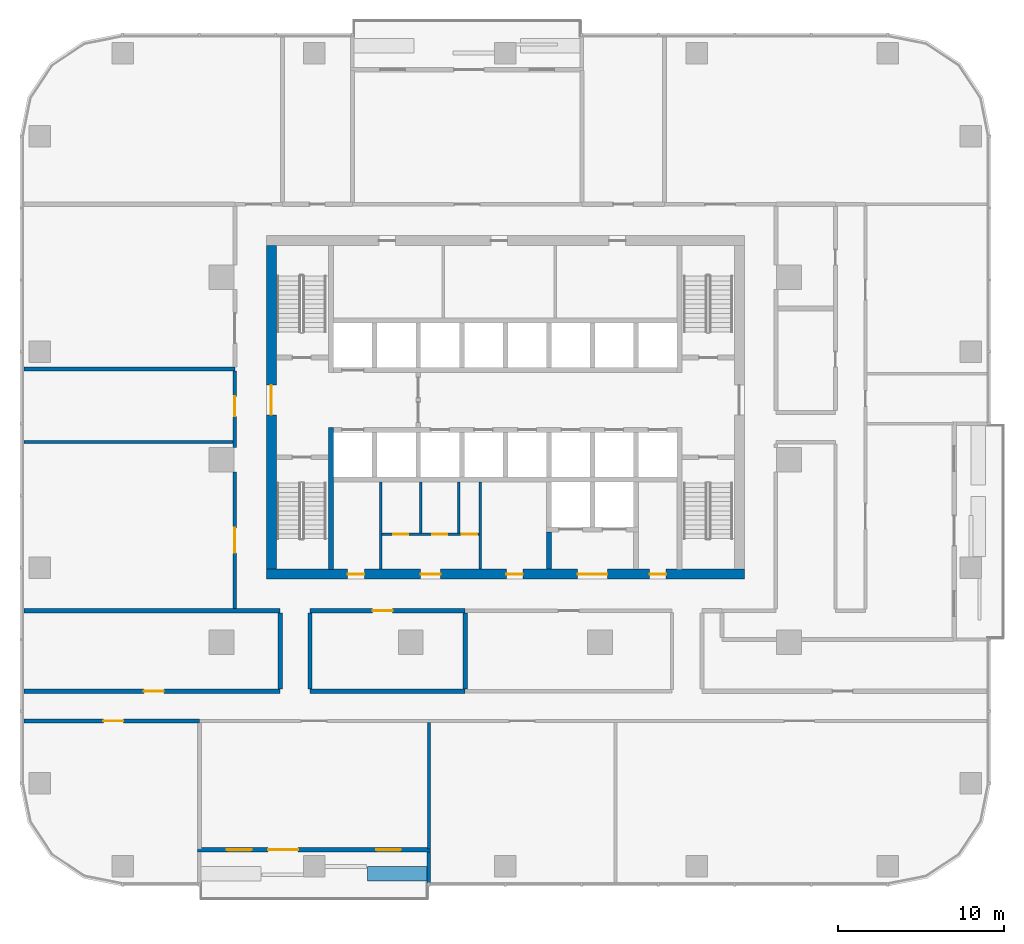
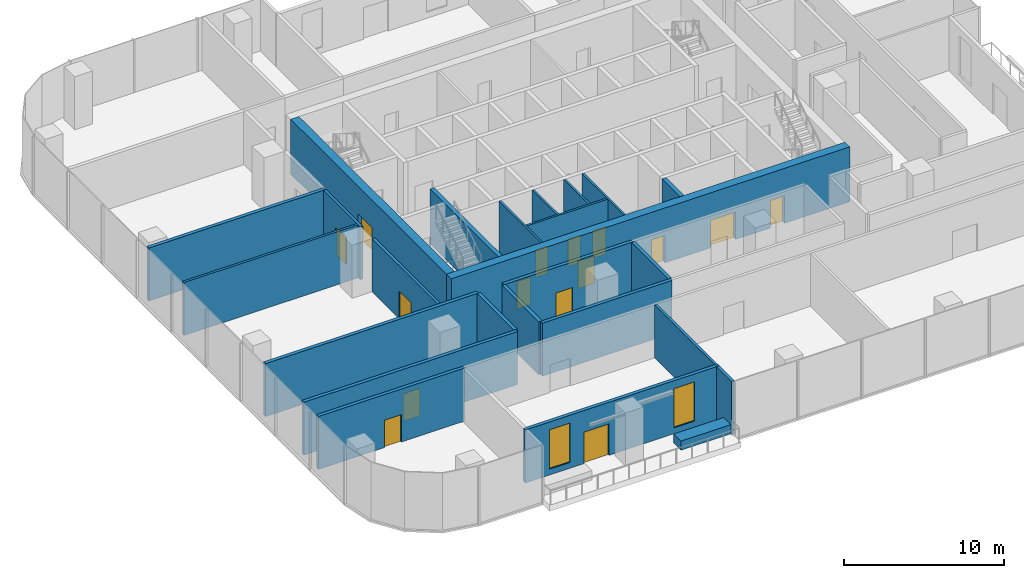
# One storey, part 7 of 14: 25 walls, 15 doors, 2 windows, 17 openings.
"""IFC4 building model written with IfcOpenShell, lengths in metres."""

import ifcopenshell
import ifcopenshell.guid

model = None  # the IFC model being written
_history = None  # IfcOwnerHistory: only IFC2X3 demands one
_inside = {}  # id of a spatial element -> (the spatial element, [elements in it])
_under = {}  # id of a project, library or spatial element -> (it, [spatial elements below it])
_declared = {}  # id of a project -> (the project, [libraries it declares])
_typed = {}  # id of a type object -> (the type object, [elements of that type])
_made_of = {}  # id of a material, layer set ... -> (it, [elements and type objects made of it])


def new_model(schema):
    """Start an empty IFC model of exactly this schema.

    Asked for "IFC4X3", IfcOpenShell would pick the latest addendum, in which some entities
    have other attributes; the version numbers below select the first issue.
    IFC2X3 requires an IfcOwnerHistory on every rooted entity: one is made here for all.
    """
    global model, _history
    if schema == "IFC4X3":
        model = ifcopenshell.file(schema_version=(4, 3, 0, 0))
    else:
        model = ifcopenshell.file(schema=schema)
    _inside.clear()
    _under.clear()
    _declared.clear()
    _typed.clear()
    _made_of.clear()
    _history = None
    if model.schema == "IFC2X3":
        org = make("IfcOrganization", Name="unknown")
        user = make(
            "IfcPersonAndOrganization",
            ThePerson=make("IfcPerson", FamilyName="unknown"),
            TheOrganization=org,
        )
        app = make(
            "IfcApplication",
            ApplicationDeveloper=org,
            Version="unknown",
            ApplicationFullName="unknown",
            ApplicationIdentifier="unknown",
        )
        _history = make(
            "IfcOwnerHistory",
            OwningUser=user,
            OwningApplication=app,
            ChangeAction="ADDED",
            CreationDate=0,
        )
    return model


def make(cls, **values):
    """One entity of the class cls with the attributes given. An attribute that is None is left unset."""
    return model.create_entity(
        cls, **{name: value for name, value in values.items() if value is not None}
    )


def rooted(cls, **values):
    """An entity with a GlobalId (a new one), such as an element, a storey or a relation."""
    return make(cls, GlobalId=ifcopenshell.guid.new(), OwnerHistory=_history, **values)


def si_unit(unit_type, name, prefix=None):
    """IfcSIUnit, for example si_unit("LENGTHUNIT", "METRE", prefix="MILLI")."""
    return make("IfcSIUnit", UnitType=unit_type, Prefix=prefix, Name=name)


def assignment(units):
    """IfcUnitAssignment: the units of a project."""
    return None if units is None else make("IfcUnitAssignment", Units=units)


def point(xyz):
    """IfcCartesianPoint."""
    return None if xyz is None else make("IfcCartesianPoint", Coordinates=xyz)


def direction(xyz):
    """IfcDirection."""
    return None if xyz is None else make("IfcDirection", DirectionRatios=xyz)


def frame(location, z_axis=None, x_axis=None):
    """IfcAxis2Placement3D, a coordinate frame: its origin and axes. An axis left out is left unset."""
    return make(
        "IfcAxis2Placement3D",
        Location=point(location),
        Axis=direction(z_axis),
        RefDirection=direction(x_axis),
    )


def frame_2d(location, x_axis=None):
    """IfcAxis2Placement2D, a coordinate frame in the plane: its origin and x axis."""
    return make(
        "IfcAxis2Placement2D", Location=point(location), RefDirection=direction(x_axis)
    )


def origin():
    """The frame at (0, 0, 0) with its axes left unset."""
    return frame((0.0, 0.0, 0.0))


def place(relative_to, where):
    """IfcLocalPlacement: puts the frame where relative to a parent placement (None: the world)."""
    return make(
        "IfcLocalPlacement", PlacementRelTo=relative_to, RelativePlacement=where
    )


def context(
    kind, dimensions, precision=None, world=None, true_north=None, identifier=None
):
    """IfcGeometricRepresentationContext, for example the 3D "Model" context."""
    return make(
        "IfcGeometricRepresentationContext",
        ContextIdentifier=identifier,
        ContextType=kind,
        CoordinateSpaceDimension=dimensions,
        Precision=precision,
        WorldCoordinateSystem=world,
        TrueNorth=true_north,
    )


def subcontext(parent, identifier, kind, view, scale=None):
    """IfcGeometricRepresentationSubContext, for example "Body" below "Model"."""
    return make(
        "IfcGeometricRepresentationSubContext",
        ContextIdentifier=identifier,
        ContextType=kind,
        ParentContext=parent,
        TargetScale=scale,
        TargetView=view,
    )


def project(units=None, contexts=None):
    """IfcProject with its units and contexts."""
    return rooted(
        "IfcProject",
        Name="project",
        RepresentationContexts=contexts,
        UnitsInContext=assignment(units),
    )


def spatial(cls, under=None, at=None, **own):
    """A site, building, storey or space (cls), placed at a placement, below another one or the project."""
    s = rooted(cls, ObjectPlacement=at, **own)
    if under is not None:
        _under.setdefault(under.id(), (under, []))[1].append(s)
    return s


def profile(cls, at=None, kind="AREA", **sizes):
    """A parametric profile (cls). Its sizes go by their IFC names, for example OverallWidth=200.0."""
    return make(cls, ProfileType=kind, Position=at, **sizes)


def rectangle(**sizes):
    """IfcRectangleProfileDef."""
    return profile("IfcRectangleProfileDef", **sizes)


def extrude(swept, where, along, depth):
    """IfcExtrudedAreaSolid: the profile swept, set in the frame where, extruded along a direction by depth."""
    return make(
        "IfcExtrudedAreaSolid",
        SweptArea=swept,
        Position=where,
        ExtrudedDirection=direction(along),
        Depth=depth,
    )


def shape(context_of_items, identifier, shape_type, items):
    """IfcShapeRepresentation: the items that make up one representation, for example the "Body"."""
    return make(
        "IfcShapeRepresentation",
        ContextOfItems=context_of_items,
        RepresentationIdentifier=identifier,
        RepresentationType=shape_type,
        Items=items,
    )


def material(Name=None, Category=None):
    """IfcMaterial."""
    return make("IfcMaterial", Name=Name, Category=Category)


def layer(
    of_material, thickness, ventilated=None, Name=None, Category=None, Priority=None
):
    """IfcMaterialLayer: one layer of a wall or slab, of a material (None: an air gap)."""
    return make(
        "IfcMaterialLayer",
        Material=of_material,
        LayerThickness=thickness,
        IsVentilated=ventilated,
        Name=Name,
        Category=Category,
        Priority=Priority,
    )


def layer_set(layers, Name=None):
    """IfcMaterialLayerSet."""
    return make("IfcMaterialLayerSet", MaterialLayers=layers, LayerSetName=Name)


def made_of(thing, what):
    """Note that an element or type object is made of a material, layer set ...; save() writes the relation."""
    if what is not None:
        _made_of.setdefault(what.id(), (what, []))[1].append(thing)
    return thing


def type_object(cls, material=None, **own):
    """A type object (cls), such as IfcWallType, which elements share."""
    return made_of(rooted(cls, **own), material)


def element(
    cls,
    number,
    at=None,
    inside=None,
    cuts=None,
    type_object=None,
    material=None,
    context=None,
    identifier="Body",
    shape_type=None,
    held_by="IfcProductDefinitionShape",
    body=None,
    shapes=None,
    **own,
):
    """One element of the class cls, such as IfcWall. Its Tag is "e" and its number.

    at: its placement. inside: the storey or other place that contains it. cuts: it is an
    opening in that element (IfcRelVoidsElement). A single representation is given by context,
    identifier, shape_type and body (its items); several are given by shapes. held_by: the class
    of the entity that holds the representations. save() writes the other relations.
    """
    e = rooted(cls, Tag="e%d" % number, ObjectPlacement=at, **own)
    if body is not None:
        shapes = [shape(context, identifier, shape_type, body)]
    if shapes is not None:
        e.Representation = make(held_by, Representations=shapes)
    if inside is not None:
        _inside.setdefault(inside.id(), (inside, []))[1].append(e)
    if cuts is not None:
        rooted(
            "IfcRelVoidsElement", RelatingBuildingElement=cuts, RelatedOpeningElement=e
        )
    if type_object is not None:
        _typed.setdefault(type_object.id(), (type_object, []))[1].append(e)
    return made_of(e, material)


def fill(opening, filler):
    """IfcRelFillsElement: the door or window that sits in an opening."""
    return rooted(
        "IfcRelFillsElement",
        RelatingOpeningElement=opening,
        RelatedBuildingElement=filler,
    )


def aggregate(whole, parts):
    """IfcRelAggregates: a whole, such as a stair, and the parts it consists of."""
    return rooted("IfcRelAggregates", RelatingObject=whole, RelatedObjects=parts)


def save(model, path):
    """Write the relations noted so far, then the file.

    IfcRelAggregates (storeys below a building ...), IfcRelContainedInSpatialStructure (elements
    in a storey), IfcRelDefinesByType, IfcRelAssociatesMaterial and IfcRelDeclares: one each for
    every whole, place, type object, material and project.
    """
    for whole, parts in _under.values():
        aggregate(whole, parts)
    for where, things in _inside.values():
        rooted(
            "IfcRelContainedInSpatialStructure",
            RelatedElements=things,
            RelatingStructure=where,
        )
    for kind, things in _typed.values():
        rooted("IfcRelDefinesByType", RelatedObjects=things, RelatingType=kind)
    for what, things in _made_of.values():
        rooted("IfcRelAssociatesMaterial", RelatedObjects=things, RelatingMaterial=what)
    for by, libraries in _declared.values():
        rooted("IfcRelDeclares", RelatingContext=by, RelatedDefinitions=libraries)
    model.write(path)


model = new_model("IFC4")

# Units and contexts
model_context = context("Model", 3, precision=1e-05, world=origin(), true_north=direction((0.0, 1.0)))
body_context = subcontext(model_context, "Body", "Model", "MODEL_VIEW")
ifc_project = project(units=[si_unit("LENGTHUNIT", "METRE"), si_unit("AREAUNIT", "SQUARE_METRE"), si_unit("VOLUMEUNIT", "CUBIC_METRE"), si_unit("PLANEANGLEUNIT", "RADIAN"), si_unit("MASSUNIT", "GRAM", prefix="KILO")], contexts=[model_context])

# Site, building, storey
site_placement = place(None, origin())
site = spatial("IfcSite", under=ifc_project, at=site_placement, CompositionType="ELEMENT")
building_placement = place(site_placement, origin())
building = spatial("IfcBuilding", under=site, at=building_placement, Name="Mopane Tessera Tower", CompositionType="ELEMENT")
storey_placement = place(building_placement, frame((0.0, 0.0, 139.60009765625)))
storey = spatial("IfcBuildingStorey", under=building, at=storey_placement, Name="L28", CompositionType="ELEMENT", Elevation=139.60009765625)

# Wall
ifc_material_1 = material(Name="Fire-rated gypsum board partition")
ifc_layer_1 = layer(ifc_material_1, 0.14990234375)
ifc_layer_set_1 = layer_set([ifc_layer_1], Name="Fire-rated gypsum board partition")
wall_type_1 = type_object("IfcWallType", Name="Core room partition 150 mm", PredefinedType="PARTITIONING", material=ifc_layer_set_1)
wall_1_placement = place(storey_placement, frame((-7.5, -6.60009765625, 0.0), z_axis=(0.0, 0.0, 1.0), x_axis=(0.0, 1.0, 0.0)))
element("IfcWall", 1, at=wall_1_placement, inside=storey, type_object=wall_type_1, Name="L28 Room partition", PredefinedType="PARTITIONING", context=body_context, shape_type="SweptSolid", body=[
    extrude(rectangle(XDim=5.25, YDim=0.14990234375, at=frame_2d((2.625, 0.0))), origin(), (0.0, 0.0, 1.0), 4.199951171875),
])

# Wall, openings, doors
wall_2_placement = place(storey_placement, frame((-7.425048828125, -4.5, 0.0), z_axis=(0.0, 0.0, 1.0), x_axis=(1.0, 0.0, 0.0)))
wall_2 = element("IfcWall", 2, at=wall_2_placement, inside=storey, type_object=wall_type_1, Name="L28 WC partition", PredefinedType="PARTITIONING", context=body_context, shape_type="SweptSolid", body=[
    extrude(rectangle(XDim=5.85009765625, YDim=0.14990234375, at=frame_2d((2.925048828125, 0.0))), origin(), (0.0, 0.0, 1.0), 4.199951171875),
])
opening_1_placement = place(wall_2_placement, frame((0.675048828125, 0.0, 0.0)))
opening_1 = element("IfcOpeningElement", 3, at=opening_1_placement, cuts=wall_2, Name="Opening WD1", PredefinedType="OPENING", context=body_context, shape_type="SweptSolid", body=[
    extrude(rectangle(XDim=0.89990234375, YDim=2.10009765625, at=frame_2d((0.449951171875, 1.050048828125))), frame((0.0, 0.0869140625, 0.0), z_axis=(0.0, -1.0, 0.0), x_axis=(1.0, 0.0, 0.0)), (0.0, 0.0, 1.0), 0.173828125),
])
opening_2_placement = place(wall_2_placement, frame((3.014892578125, 0.0, 0.0)))
opening_2 = element("IfcOpeningElement", 4, at=opening_2_placement, cuts=wall_2, Name="Opening WD1", PredefinedType="OPENING", context=body_context, shape_type="SweptSolid", body=[
    extrude(rectangle(XDim=0.89990234375, YDim=2.10009765625, at=frame_2d((0.449951171875, 1.050048828125))), frame((0.0, 0.0869140625, 0.0), z_axis=(0.0, -1.0, 0.0), x_axis=(1.0, 0.0, 0.0)), (0.0, 0.0, 1.0), 0.173828125),
])
opening_3_placement = place(wall_2_placement, frame((4.7900390625, 0.0, 0.0)))
opening_3 = element("IfcOpeningElement", 5, at=opening_3_placement, cuts=wall_2, Name="Opening WD2", PredefinedType="OPENING", context=body_context, shape_type="SweptSolid", body=[
    extrude(rectangle(XDim=0.949951171875, YDim=2.10009765625, at=frame_2d((0.47509765625, 1.050048828125))), frame((0.0, 0.0869140625, 0.0), z_axis=(0.0, -1.0, 0.0), x_axis=(1.0, 0.0, 0.0)), (0.0, 0.0, 1.0), 0.173828125),
])
ifc_material_2 = material(Name="Timber door", Category="wood")
door_type_1 = type_object("IfcDoorType", Name="Accessible WC door 950 x 2100", OperationType="SINGLE_SWING_LEFT", PredefinedType="DOOR", material=ifc_material_2)
door_1_placement = place(opening_3_placement, origin())
door_1 = element("IfcDoor", 6, at=door_1_placement, inside=storey, type_object=door_type_1, Name="L28 Accessible WC door", OperationType="SINGLE_SWING_LEFT", OverallHeight=2.10009765625, OverallWidth=0.949951171875, PredefinedType="DOOR", context=body_context, shape_type="SweptSolid", body=[
    extrude(rectangle(XDim=0.949951171875, YDim=2.10009765625, at=frame_2d((0.47509765625, 1.050048828125))), frame((0.0, 0.02490234375, 0.0), z_axis=(0.0, -1.0, 0.0), x_axis=(1.0, 0.0, 0.0)), (0.0, 0.0, 1.0), 0.050048828125),
])
fill(opening_3, door_1)
ifc_material_3 = material(Name="Timber door", Category="wood")
door_type_2 = type_object("IfcDoorType", Name="WC cubicle door 900 x 2100", OperationType="SINGLE_SWING_LEFT", PredefinedType="DOOR", material=ifc_material_3)
door_2_placement = place(opening_1_placement, origin())
door_2 = element("IfcDoor", 7, at=door_2_placement, inside=storey, type_object=door_type_2, Name="L28 Men's WC door", OperationType="SINGLE_SWING_LEFT", OverallHeight=2.10009765625, OverallWidth=0.89990234375, PredefinedType="DOOR", context=body_context, shape_type="SweptSolid", body=[
    extrude(rectangle(XDim=0.89990234375, YDim=2.10009765625, at=frame_2d((0.449951171875, 1.050048828125))), frame((0.0, 0.02490234375, 0.0), z_axis=(0.0, -1.0, 0.0), x_axis=(1.0, 0.0, 0.0)), (0.0, 0.0, 1.0), 0.050048828125),
])
fill(opening_1, door_2)
door_3_placement = place(opening_2_placement, origin())
door_3 = element("IfcDoor", 8, at=door_3_placement, inside=storey, type_object=door_type_2, Name="L28 Women's WC door", OperationType="SINGLE_SWING_LEFT", OverallHeight=2.10009765625, OverallWidth=0.89990234375, PredefinedType="DOOR", context=body_context, shape_type="SweptSolid", body=[
    extrude(rectangle(XDim=0.89990234375, YDim=2.10009765625, at=frame_2d((0.449951171875, 1.050048828125))), frame((0.0, 0.02490234375, 0.0), z_axis=(0.0, -1.0, 0.0), x_axis=(1.0, 0.0, 0.0)), (0.0, 0.0, 1.0), 0.050048828125),
])
fill(opening_2, door_3)

# Walls
for number, where, z_axis, x_axis, name in (
    (9, (-5.10009765625, -4.425048828125, 0.0), (0.0, 0.0, 1.0), (0.0, 1.0, 0.0), "L28 WC partition"),
    (10, (-2.820068359375, -4.425048828125, 0.0), (0.0, 0.0, 1.0), (0.0, 1.0, 0.0), "L28 WC partition"),
):
    element("IfcWall", number, at=place(storey_placement, frame(where, z_axis=z_axis, x_axis=x_axis)), inside=storey, type_object=wall_type_1, Name=name, PredefinedType="PARTITIONING", context=body_context, shape_type="SweptSolid", body=[
        extrude(rectangle(XDim=3.074951171875, YDim=0.14990234375, at=frame_2d((1.53759765625, 0.0))), origin(), (0.0, 0.0, 1.0), 4.199951171875),
    ])
wall_3_placement = place(storey_placement, frame((-1.5, -6.60009765625, 0.0), z_axis=(0.0, 0.0, 1.0), x_axis=(0.0, 1.0, 0.0)))
element("IfcWall", 11, at=wall_3_placement, inside=storey, type_object=wall_type_1, Name="L28 Room partition", PredefinedType="PARTITIONING", context=body_context, shape_type="SweptSolid", body=[
    extrude(rectangle(XDim=5.25, YDim=0.14990234375, at=frame_2d((2.625, 0.0))), origin(), (0.0, 0.0, 1.0), 4.199951171875),
])

# Wall, openings, doors
ifc_material_4 = material(Name="Concrete C70/85", Category="concrete")
ifc_layer_2 = layer(ifc_material_4, 0.60009765625)
ifc_layer_set_2 = layer_set([ifc_layer_2], Name="Concrete C70/85")
wall_type_2 = type_object("IfcWallType", Name="Core shear wall 600 mm", PredefinedType="SHEAR", material=ifc_layer_set_2)
wall_4_placement = place(storey_placement, frame((-14.39990234375, -6.89990234375, 0.0), z_axis=(0.0, 0.0, 1.0), x_axis=(1.0, 0.0, 0.0)))
wall_4 = element("IfcWall", 12, at=wall_4_placement, inside=storey, type_object=wall_type_2, Name="L28 Core wall south", PredefinedType="SHEAR", context=body_context, shape_type="SweptSolid", body=[
    extrude(rectangle(XDim=28.7998046875, YDim=0.60009765625, at=frame_2d((14.39990234375, 0.0))), origin(), (0.0, 0.0, 1.0), 4.199951171875),
])
opening_4_placement = place(wall_4_placement, frame((4.89990234375, 0.0, 0.0)))
opening_4 = element("IfcOpeningElement", 13, at=opening_4_placement, cuts=wall_4, Name="Opening RD1", PredefinedType="OPENING", context=body_context, shape_type="SweptSolid", body=[
    extrude(rectangle(XDim=1.0, YDim=2.10009765625, at=frame_2d((0.5, 1.050048828125))), frame((0.0, 0.31201171875, 0.0), z_axis=(0.0, -1.0, 0.0), x_axis=(1.0, 0.0, 0.0)), (0.0, 0.0, 1.0), 0.6240234375),
])
opening_5_placement = place(wall_4_placement, frame((9.300048828125, 0.0, 0.0)))
opening_5 = element("IfcOpeningElement", 14, at=opening_5_placement, cuts=wall_4, Name="Opening WD3", PredefinedType="OPENING", context=body_context, shape_type="SweptSolid", body=[
    extrude(rectangle(XDim=1.199951171875, YDim=2.10009765625, at=frame_2d((0.60009765625, 1.050048828125))), frame((0.0, 0.31201171875, 0.0), z_axis=(0.0, -1.0, 0.0), x_axis=(1.0, 0.0, 0.0)), (0.0, 0.0, 1.0), 0.6240234375),
])
opening_6_placement = place(wall_4_placement, frame((14.46240234375, 0.0, 0.0)))
opening_6 = element("IfcOpeningElement", 15, at=opening_6_placement, cuts=wall_4, Name="Opening RD1", PredefinedType="OPENING", context=body_context, shape_type="SweptSolid", body=[
    extrude(rectangle(XDim=1.0, YDim=2.10009765625, at=frame_2d((0.5, 1.050048828125))), frame((0.0, 0.31201171875, 0.0), z_axis=(0.0, -1.0, 0.0), x_axis=(1.0, 0.0, 0.0)), (0.0, 0.0, 1.0), 0.6240234375),
])
opening_7_placement = place(wall_4_placement, frame((18.75, 0.0, 0.0)))
opening_7 = element("IfcOpeningElement", 16, at=opening_7_placement, cuts=wall_4, Name="Opening SD2", PredefinedType="OPENING", context=body_context, shape_type="SweptSolid", body=[
    extrude(rectangle(XDim=1.800048828125, YDim=2.10009765625, at=frame_2d((0.89990234375, 1.050048828125))), frame((0.0, 0.31201171875, 0.0), z_axis=(0.0, -1.0, 0.0), x_axis=(1.0, 0.0, 0.0)), (0.0, 0.0, 1.0), 0.6240234375),
])
opening_8_placement = place(wall_4_placement, frame((23.08740234375, 0.0, 0.0)))
opening_8 = element("IfcOpeningElement", 17, at=opening_8_placement, cuts=wall_4, Name="Opening RD1", PredefinedType="OPENING", context=body_context, shape_type="SweptSolid", body=[
    extrude(rectangle(XDim=1.0, YDim=2.10009765625, at=frame_2d((0.5, 1.050048828125))), frame((0.0, 0.31201171875, 0.0), z_axis=(0.0, -1.0, 0.0), x_axis=(1.0, 0.0, 0.0)), (0.0, 0.0, 1.0), 0.6240234375),
])
ifc_material_5 = material(Name="Steel fire door", Category="steel")
door_type_3 = type_object("IfcDoorType", Name="Core entrance double door 1800 x 2100", OperationType="DOUBLE_DOOR_SINGLE_SWING", PredefinedType="DOOR", material=ifc_material_5)
door_4_placement = place(opening_7_placement, origin())
door_4 = element("IfcDoor", 18, at=door_4_placement, inside=storey, type_object=door_type_3, Name="L28 Service lobby door", OperationType="DOUBLE_DOOR_SINGLE_SWING", OverallHeight=2.10009765625, OverallWidth=1.800048828125, PredefinedType="DOOR", context=body_context, shape_type="SweptSolid", body=[
    extrude(rectangle(XDim=1.800048828125, YDim=2.10009765625, at=frame_2d((0.89990234375, 1.050048828125))), frame((0.0, 0.02490234375, 0.0), z_axis=(0.0, -1.0, 0.0), x_axis=(1.0, 0.0, 0.0)), (0.0, 0.0, 1.0), 0.050048828125),
])
fill(opening_7, door_4)
ifc_material_6 = material(Name="Timber door", Category="wood")
door_type_4 = type_object("IfcDoorType", Name="Core room door 1000 x 2100", OperationType="SINGLE_SWING_LEFT", PredefinedType="DOOR", material=ifc_material_6)
door_5_placement = place(opening_4_placement, origin())
door_5 = element("IfcDoor", 19, at=door_5_placement, inside=storey, type_object=door_type_4, Name="L28 Room door", OperationType="SINGLE_SWING_LEFT", OverallHeight=2.10009765625, OverallWidth=1.0, PredefinedType="DOOR", context=body_context, shape_type="SweptSolid", body=[
    extrude(rectangle(XDim=1.0, YDim=2.10009765625, at=frame_2d((0.5, 1.050048828125))), frame((0.0, 0.02490234375, 0.0), z_axis=(0.0, -1.0, 0.0), x_axis=(1.0, 0.0, 0.0)), (0.0, 0.0, 1.0), 0.050048828125),
])
fill(opening_4, door_5)
door_6_placement = place(opening_6_placement, origin())
door_6 = element("IfcDoor", 20, at=door_6_placement, inside=storey, type_object=door_type_4, Name="L28 Room door", OperationType="SINGLE_SWING_LEFT", OverallHeight=2.10009765625, OverallWidth=1.0, PredefinedType="DOOR", context=body_context, shape_type="SweptSolid", body=[
    extrude(rectangle(XDim=1.0, YDim=2.10009765625, at=frame_2d((0.5, 1.050048828125))), frame((0.0, 0.02490234375, 0.0), z_axis=(0.0, -1.0, 0.0), x_axis=(1.0, 0.0, 0.0)), (0.0, 0.0, 1.0), 0.050048828125),
])
fill(opening_6, door_6)
door_7_placement = place(opening_8_placement, origin())
door_7 = element("IfcDoor", 21, at=door_7_placement, inside=storey, type_object=door_type_4, Name="L28 Room door", OperationType="SINGLE_SWING_LEFT", OverallHeight=2.10009765625, OverallWidth=1.0, PredefinedType="DOOR", context=body_context, shape_type="SweptSolid", body=[
    extrude(rectangle(XDim=1.0, YDim=2.10009765625, at=frame_2d((0.5, 1.050048828125))), frame((0.0, 0.02490234375, 0.0), z_axis=(0.0, -1.0, 0.0), x_axis=(1.0, 0.0, 0.0)), (0.0, 0.0, 1.0), 0.050048828125),
])
fill(opening_8, door_7)
ifc_material_7 = material(Name="Timber door", Category="wood")
door_type_5 = type_object("IfcDoorType", Name="WC lobby door 1200 x 2100", OperationType="SINGLE_SWING_LEFT", PredefinedType="DOOR", material=ifc_material_7)
door_8_placement = place(opening_5_placement, origin())
door_8 = element("IfcDoor", 22, at=door_8_placement, inside=storey, type_object=door_type_5, Name="L28 WC lobby door", OperationType="SINGLE_SWING_LEFT", OverallHeight=2.10009765625, OverallWidth=1.199951171875, PredefinedType="DOOR", context=body_context, shape_type="SweptSolid", body=[
    extrude(rectangle(XDim=1.199951171875, YDim=2.10009765625, at=frame_2d((0.60009765625, 1.050048828125))), frame((0.0, 0.02490234375, 0.0), z_axis=(0.0, -1.0, 0.0), x_axis=(1.0, 0.0, 0.0)), (0.0, 0.0, 1.0), 0.050048828125),
])
fill(opening_5, door_8)

# Wall, opening, door
wall_5_placement = place(storey_placement, frame((-14.10009765625, -6.60009765625, 0.0), z_axis=(0.0, 0.0, 1.0), x_axis=(0.0, 1.0, 0.0)))
wall_5 = element("IfcWall", 23, at=wall_5_placement, inside=storey, type_object=wall_type_2, Name="L28 Core wall west", PredefinedType="SHEAR", context=body_context, shape_type="SweptSolid", body=[
    extrude(rectangle(XDim=19.5, YDim=0.60009765625, at=frame_2d((9.75, 0.0))), origin(), (0.0, 0.0, 1.0), 4.199951171875),
])
opening_9_placement = place(wall_5_placement, frame((9.300048828125, 0.0, 0.0)))
opening_9 = element("IfcOpeningElement", 24, at=opening_9_placement, cuts=wall_5, Name="Opening SD2", PredefinedType="OPENING", context=body_context, shape_type="SweptSolid", body=[
    extrude(rectangle(XDim=1.800048828125, YDim=2.10009765625, at=frame_2d((0.89990234375, 1.050048828125))), frame((0.0, 0.31201171875, 0.0), z_axis=(0.0, -1.0, 0.0), x_axis=(1.0, 0.0, 0.0)), (0.0, 0.0, 1.0), 0.6240234375),
])
door_9_placement = place(opening_9_placement, origin())
door_9 = element("IfcDoor", 25, at=door_9_placement, inside=storey, type_object=door_type_3, Name="L28 Core entrance door west", OperationType="DOUBLE_DOOR_SINGLE_SWING", OverallHeight=2.10009765625, OverallWidth=1.800048828125, PredefinedType="DOOR", context=body_context, shape_type="SweptSolid", body=[
    extrude(rectangle(XDim=1.800048828125, YDim=2.10009765625, at=frame_2d((0.89990234375, 1.050048828125))), frame((0.0, 0.02490234375, 0.0), z_axis=(0.0, -1.0, 0.0), x_axis=(1.0, 0.0, 0.0)), (0.0, 0.0, 1.0), 0.050048828125),
])
fill(opening_9, door_9)

# Walls
ifc_material_8 = material(Name="Concrete C60/75", Category="concrete")
ifc_layer_3 = layer(ifc_material_8, 0.300048828125)
ifc_layer_set_3 = layer_set([ifc_layer_3], Name="Concrete C60/75")
wall_type_3 = type_object("IfcWallType", Name="Core spine wall 300 mm", PredefinedType="SHEAR", material=ifc_layer_set_3)
wall_6_placement = place(storey_placement, frame((-10.5, -6.60009765625, 0.0), z_axis=(0.0, 0.0, 1.0), x_axis=(0.0, 1.0, 0.0)))
element("IfcWall", 26, at=wall_6_placement, inside=storey, type_object=wall_type_3, Name="L28 Core spine wall", PredefinedType="SHEAR", context=body_context, shape_type="SweptSolid", body=[
    extrude(rectangle(XDim=8.550048828125, YDim=0.300048828125, at=frame_2d((4.27490234375, 0.0))), origin(), (0.0, 0.0, 1.0), 4.199951171875),
])
ifc_material_9 = material(Name="Gypsum board on staggered steel studs, double layer each face, acoustic mineral wool infill", Category="steel")
ifc_layer_4 = layer(ifc_material_9, 0.175048828125)
ifc_layer_set_4 = layer_set([ifc_layer_4], Name="Gypsum board on staggered steel studs, double layer each face, acoustic mineral wool infill")
wall_type_4 = type_object("IfcWallType", Name="Gypsum board acoustic partition 175, rated EI 60", PredefinedType="PARTITIONING", material=ifc_layer_set_4)
wall_7_placement = place(storey_placement, frame((-29.0, 1.074951171875, 0.0), z_axis=(0.0, 0.0, 1.0), x_axis=(1.0, 0.0, 0.0)))
element("IfcWall", 27, at=wall_7_placement, inside=storey, type_object=wall_type_4, Name="Partition L28:015", PredefinedType="PARTITIONING", context=body_context, shape_type="SweptSolid", body=[
    extrude(rectangle(XDim=12.60009765625, YDim=0.175048828125, at=frame_2d((6.300048828125, 0.0))), origin(), (0.0, 0.0, 1.0), 4.0498046875),
])
wall_8_placement = place(storey_placement, frame((-4.610107421875, -23.449951171875, 0.0), z_axis=(0.0, 0.0, 1.0), x_axis=(0.0, 1.0, 0.0)))
element("IfcWall", 28, at=wall_8_placement, inside=storey, type_object=wall_type_4, Name="Partition L28:039", PredefinedType="PARTITIONING", context=body_context, shape_type="SweptSolid", body=[
    extrude(rectangle(XDim=7.599853515625, YDim=0.175048828125, at=frame_2d((3.7998046875, 0.0))), origin(), (0.0, 0.0, 1.0), 4.0498046875),
])

# Wall, opening, door
ifc_material_10 = material(Name="Gypsum board on steel studs, two layers each face, mineral wool infill", Category="steel")
ifc_layer_5 = layer(ifc_material_10, 0.199951171875)
ifc_layer_set_5 = layer_set([ifc_layer_5], Name="Gypsum board on steel studs, two layers each face, mineral wool infill")
wall_type_5 = type_object("IfcWallType", Name="Gypsum board corridor wall 200, rated EI 60", PredefinedType="PARTITIONING", material=ifc_layer_set_5)
wall_9_placement = place(storey_placement, frame((-16.300048828125, -8.97509765625, 0.0), z_axis=(0.0, 0.0, 1.0), x_axis=(0.0, 1.0, 0.0)))
wall_9 = element("IfcWall", 29, at=wall_9_placement, inside=storey, type_object=wall_type_5, Name="Partition L28:031", PredefinedType="PARTITIONING", context=body_context, shape_type="SweptSolid", body=[
    extrude(rectangle(XDim=8.22509765625, YDim=0.199951171875, at=frame_2d((4.112548828125, 0.0))), origin(), (0.0, 0.0, 1.0), 4.0498046875),
])
opening_10_placement = place(wall_9_placement, frame((3.362548828125, 0.0, 0.0)))
opening_10 = element("IfcOpeningElement", 30, at=opening_10_placement, cuts=wall_9, Name="Opening L28-02", PredefinedType="OPENING", context=body_context, shape_type="SweptSolid", body=[
    extrude(rectangle(XDim=1.5, YDim=2.10009765625, at=frame_2d((0.75, 1.050048828125))), frame((0.0, 0.112060546875, 0.0), z_axis=(0.0, -1.0, 0.0), x_axis=(1.0, 0.0, 0.0)), (0.0, 0.0, 1.0), 0.223876953125),
])
ifc_material_11 = material(Name="Timber veneered steel-framed fire door", Category="steel")
door_type_6 = type_object("IfcDoorType", Name="Fire door pair FD60 1500 x 2100", OperationType="DOUBLE_DOOR_SINGLE_SWING", PredefinedType="DOOR", material=ifc_material_11)
door_10_placement = place(opening_10_placement, origin())
door_10 = element("IfcDoor", 31, at=door_10_placement, inside=storey, type_object=door_type_6, Name="Door L28-02", ObjectType="D17A", OperationType="DOUBLE_DOOR_SINGLE_SWING", OverallHeight=2.10009765625, OverallWidth=1.5, PredefinedType="DOOR", context=body_context, shape_type="SweptSolid", body=[
    extrude(rectangle(XDim=1.5, YDim=2.10009765625, at=frame_2d((0.75, 1.050048828125))), frame((0.0, 0.02490234375, 0.0), z_axis=(0.0, -1.0, 0.0), x_axis=(1.0, 0.0, 0.0)), (0.0, 0.0, 1.0), 0.050048828125),
])
fill(opening_10, door_10)

wall_10_placement = place(storey_placement, frame((-16.300048828125, 0.75, 0.0), z_axis=(0.0, 0.0, 1.0), x_axis=(0.0, 1.0, 0.0)))
wall_10 = element("IfcWall", 32, at=wall_10_placement, inside=storey, type_object=wall_type_5, Name="Partition L28:032", PredefinedType="PARTITIONING", context=body_context, shape_type="SweptSolid", body=[
    extrude(rectangle(XDim=4.60009765625, YDim=0.199951171875, at=frame_2d((2.300048828125, 0.0))), origin(), (0.0, 0.0, 1.0), 4.0498046875),
])
opening_11_placement = place(wall_10_placement, frame((1.862548828125, 0.0, 0.0)))
opening_11 = element("IfcOpeningElement", 33, at=opening_11_placement, cuts=wall_10, Name="Opening L28-06", PredefinedType="OPENING", context=body_context, shape_type="SweptSolid", body=[
    extrude(rectangle(XDim=1.199951171875, YDim=2.10009765625, at=frame_2d((0.60009765625, 1.050048828125))), frame((0.0, 0.112060546875, 0.0), z_axis=(0.0, -1.0, 0.0), x_axis=(1.0, 0.0, 0.0)), (0.0, 0.0, 1.0), 0.223876953125),
])
ifc_material_12 = material(Name="Timber veneered steel-framed fire door", Category="steel")
door_type_7 = type_object("IfcDoorType", Name="Fire door FD60 1200 x 2100", OperationType="SINGLE_SWING_LEFT", PredefinedType="DOOR", material=ifc_material_12)
door_11_placement = place(opening_11_placement, origin())
door_11 = element("IfcDoor", 34, at=door_11_placement, inside=storey, type_object=door_type_7, Name="Door L28-06", ObjectType="D15A", OperationType="SINGLE_SWING_LEFT", OverallHeight=2.10009765625, OverallWidth=1.199951171875, PredefinedType="DOOR", context=body_context, shape_type="SweptSolid", body=[
    extrude(rectangle(XDim=1.199951171875, YDim=2.10009765625, at=frame_2d((0.60009765625, 1.050048828125))), frame((0.0, 0.02490234375, 0.0), z_axis=(0.0, -1.0, 0.0), x_axis=(1.0, 0.0, 0.0)), (0.0, 0.0, 1.0), 0.050048828125),
])
fill(opening_11, door_11)

# Walls
ifc_material_13 = material(Name="Concrete C50/60", Category="concrete")
ifc_layer_6 = layer(ifc_material_13, 0.300048828125)
ifc_layer_set_6 = layer_set([ifc_layer_6], Name="Concrete C50/60")
wall_type_6 = type_object("IfcWallType", Name="Lobby and refuge room wall 300 mm", PredefinedType="SOLIDWALL", material=ifc_layer_set_6)
wall_11_placement = place(storey_placement, frame((2.625, -6.60009765625, 0.0), z_axis=(0.0, 0.0, 1.0), x_axis=(0.0, 1.0, 0.0)))
element("IfcWall", 35, at=wall_11_placement, inside=storey, type_object=wall_type_6, Name="L28 Service lobby wall", PredefinedType="SOLIDWALL", context=body_context, shape_type="SweptSolid", body=[
    extrude(rectangle(XDim=2.25, YDim=0.300048828125, at=frame_2d((1.125, 0.0))), origin(), (0.0, 0.0, 1.0), 4.199951171875),
])
ifc_material_14 = material(Name="Reinforced concrete C32/40 with waterproofing", Category="concrete")
ifc_layer_7 = layer(ifc_material_14, 0.89990234375)
ifc_layer_set_7 = layer_set([ifc_layer_7], Name="Reinforced concrete C32/40 with waterproofing")
wall_type_7 = type_object("IfcWallType", Name="Planter trough 3600 x 900", PredefinedType="STANDARD", material=ifc_layer_set_7)
wall_12_placement = place(storey_placement, frame((-8.31005859375, -24.949951171875, 0.0), z_axis=(0.0, 0.0, 1.0), x_axis=(1.0, 0.0, 0.0)))
element("IfcWall", 36, at=wall_12_placement, inside=storey, type_object=wall_type_7, Name="e:nw:L28:N2:pl1", PredefinedType="STANDARD", context=body_context, shape_type="SweptSolid", body=[
    extrude(rectangle(XDim=3.60009765625, YDim=0.89990234375, at=frame_2d((1.800048828125, 0.0))), origin(), (0.0, 0.0, 1.0), 0.699951171875),
])

# Wall, opening, door
ifc_material_15 = material(Name="Plastered concrete blockwork C20/25", Category="masonry")
ifc_layer_8 = layer(ifc_material_15, 0.25)
ifc_layer_set_8 = layer_set([ifc_layer_8], Name="Plastered concrete blockwork C20/25")
wall_type_8 = type_object("IfcWallType", Name="Plastered blockwork wall 250, rated EI 120", PredefinedType="PARTITIONING", material=ifc_layer_set_8)
wall_13_placement = place(storey_placement, frame((-29.0, -15.75, 0.0), z_axis=(0.0, 0.0, 1.0), x_axis=(1.0, 0.0, 0.0)))
wall_13 = element("IfcWall", 37, at=wall_13_placement, inside=storey, type_object=wall_type_8, Name="Partition L28:001", PredefinedType="PARTITIONING", context=body_context, shape_type="SweptSolid", body=[
    extrude(rectangle(XDim=10.56005859375, YDim=0.25, at=frame_2d((5.280029296875, 0.0))), origin(), (0.0, 0.0, 1.0), 4.0498046875),
])
opening_12_placement = place(wall_13_placement, frame((4.780029296875, 0.0, 0.0)))
opening_12 = element("IfcOpeningElement", 38, at=opening_12_placement, cuts=wall_13, Name="Opening L28-04", PredefinedType="OPENING", context=body_context, shape_type="SweptSolid", body=[
    extrude(rectangle(XDim=1.199951171875, YDim=2.10009765625, at=frame_2d((0.60009765625, 1.050048828125))), frame((0.0, 0.136962890625, 0.0), z_axis=(0.0, -1.0, 0.0), x_axis=(1.0, 0.0, 0.0)), (0.0, 0.0, 1.0), 0.27392578125),
])
ifc_material_16 = material(Name="Timber veneered steel-framed fire door", Category="steel")
door_type_8 = type_object("IfcDoorType", Name="Fire door FD120 1200 x 2100", OperationType="SINGLE_SWING_LEFT", PredefinedType="DOOR", material=ifc_material_16)
door_12_placement = place(opening_12_placement, origin())
door_12 = element("IfcDoor", 39, at=door_12_placement, inside=storey, type_object=door_type_8, Name="Door L28-04", ObjectType="D15B", OperationType="SINGLE_SWING_LEFT", OverallHeight=2.10009765625, OverallWidth=1.199951171875, PredefinedType="DOOR", context=body_context, shape_type="SweptSolid", body=[
    extrude(rectangle(XDim=1.199951171875, YDim=2.10009765625, at=frame_2d((0.60009765625, 1.050048828125))), frame((0.0, 0.02490234375, 0.0), z_axis=(0.0, -1.0, 0.0), x_axis=(1.0, 0.0, 0.0)), (0.0, 0.0, 1.0), 0.050048828125),
])
fill(opening_12, door_12)

wall_14_placement = place(storey_placement, frame((-29.0, -13.949951171875, 0.0), z_axis=(0.0, 0.0, 1.0), x_axis=(1.0, 0.0, 0.0)))
wall_14 = element("IfcWall", 40, at=wall_14_placement, inside=storey, type_object=wall_type_8, Name="Partition L28:003", PredefinedType="PARTITIONING", context=body_context, shape_type="SweptSolid", body=[
    extrude(rectangle(XDim=15.429931640625, YDim=0.25, at=frame_2d((7.71484375, 0.0))), origin(), (0.0, 0.0, 1.0), 4.0498046875),
])
opening_13_placement = place(wall_14_placement, frame((7.215087890625, 0.0, 0.0)))
opening_13 = element("IfcOpeningElement", 41, at=opening_13_placement, cuts=wall_14, Name="Opening L28-15", PredefinedType="OPENING", context=body_context, shape_type="SweptSolid", body=[
    extrude(rectangle(XDim=1.199951171875, YDim=2.10009765625, at=frame_2d((0.60009765625, 1.050048828125))), frame((0.0, 0.136962890625, 0.0), z_axis=(0.0, -1.0, 0.0), x_axis=(1.0, 0.0, 0.0)), (0.0, 0.0, 1.0), 0.27392578125),
])
door_13_placement = place(opening_13_placement, origin())
door_13 = element("IfcDoor", 42, at=door_13_placement, inside=storey, type_object=door_type_8, Name="Door L28-15", ObjectType="D15B", OperationType="SINGLE_SWING_LEFT", OverallHeight=2.10009765625, OverallWidth=1.199951171875, PredefinedType="DOOR", context=body_context, shape_type="SweptSolid", body=[
    extrude(rectangle(XDim=1.199951171875, YDim=2.10009765625, at=frame_2d((0.60009765625, 1.050048828125))), frame((0.0, 0.02490234375, 0.0), z_axis=(0.0, -1.0, 0.0), x_axis=(1.0, 0.0, 0.0)), (0.0, 0.0, 1.0), 0.050048828125),
])
fill(opening_13, door_13)

# Walls
wall_15_placement = place(storey_placement, frame((-11.77001953125, -13.949951171875, 0.0), z_axis=(0.0, 0.0, 1.0), x_axis=(1.0, 0.0, 0.0)))
element("IfcWall", 43, at=wall_15_placement, inside=storey, type_object=wall_type_8, Name="Partition L28:004", PredefinedType="PARTITIONING", context=body_context, shape_type="SweptSolid", body=[
    extrude(rectangle(XDim=9.35009765625, YDim=0.25, at=frame_2d((4.675048828125, 0.0))), origin(), (0.0, 0.0, 1.0), 4.0498046875),
])
wall_16_placement = place(storey_placement, frame((-29.0, -9.10009765625, 0.0), z_axis=(0.0, 0.0, 1.0), x_axis=(1.0, 0.0, 0.0)))
element("IfcWall", 44, at=wall_16_placement, inside=storey, type_object=wall_type_8, Name="Partition L28:011", PredefinedType="PARTITIONING", context=body_context, shape_type="SweptSolid", body=[
    extrude(rectangle(XDim=15.429931640625, YDim=0.25, at=frame_2d((7.71484375, 0.0))), origin(), (0.0, 0.0, 1.0), 4.0498046875),
])

# Wall, opening, door
wall_17_placement = place(storey_placement, frame((-11.77001953125, -9.10009765625, 0.0), z_axis=(0.0, 0.0, 1.0), x_axis=(1.0, 0.0, 0.0)))
wall_17 = element("IfcWall", 45, at=wall_17_placement, inside=storey, type_object=wall_type_8, Name="Partition L28:012", PredefinedType="PARTITIONING", context=body_context, shape_type="SweptSolid", body=[
    extrude(rectangle(XDim=9.35009765625, YDim=0.25, at=frame_2d((4.675048828125, 0.0))), origin(), (0.0, 0.0, 1.0), 4.0498046875),
])
opening_14_placement = place(wall_17_placement, frame((3.77490234375, 0.0, 0.0)))
opening_14 = element("IfcOpeningElement", 46, at=opening_14_placement, cuts=wall_17, Name="Opening L28-10", PredefinedType="OPENING", context=body_context, shape_type="SweptSolid", body=[
    extrude(rectangle(XDim=1.199951171875, YDim=2.10009765625, at=frame_2d((0.60009765625, 1.050048828125))), frame((0.0, 0.136962890625, 0.0), z_axis=(0.0, -1.0, 0.0), x_axis=(1.0, 0.0, 0.0)), (0.0, 0.0, 1.0), 0.27392578125),
])
door_14_placement = place(opening_14_placement, origin())
door_14 = element("IfcDoor", 47, at=door_14_placement, inside=storey, type_object=door_type_8, Name="Door L28-10", ObjectType="D15B", OperationType="SINGLE_SWING_LEFT", OverallHeight=2.10009765625, OverallWidth=1.199951171875, PredefinedType="DOOR", context=body_context, shape_type="SweptSolid", body=[
    extrude(rectangle(XDim=1.199951171875, YDim=2.10009765625, at=frame_2d((0.60009765625, 1.050048828125))), frame((0.0, 0.02490234375, 0.0), z_axis=(0.0, -1.0, 0.0), x_axis=(1.0, 0.0, 0.0)), (0.0, 0.0, 1.0), 0.050048828125),
])
fill(opening_14, door_14)

# Walls
wall_18_placement = place(storey_placement, frame((-29.0, 5.47509765625, 0.0), z_axis=(0.0, 0.0, 1.0), x_axis=(1.0, 0.0, 0.0)))
element("IfcWall", 48, at=wall_18_placement, inside=storey, type_object=wall_type_8, Name="Partition L28:019", PredefinedType="PARTITIONING", context=body_context, shape_type="SweptSolid", body=[
    extrude(rectangle(XDim=12.699951171875, YDim=0.25, at=frame_2d((6.35009765625, 0.0))), origin(), (0.0, 0.0, 1.0), 4.0498046875),
])
for number, where, z_axis, x_axis, name in (
    (49, (-13.570068359375, -13.824951171875, 0.0), (0.0, 0.0, 1.0), (0.0, 1.0, 0.0), "Partition L28:035"),
    (50, (-11.77001953125, -13.824951171875, 0.0), (0.0, 0.0, 1.0), (0.0, 1.0, 0.0), "Partition L28:037"),
    (51, (-2.419921875, -13.824951171875, 0.0), (0.0, 0.0, 1.0), (0.0, 1.0, 0.0), "Partition L28:040"),
):
    element("IfcWall", number, at=place(storey_placement, frame(where, z_axis=z_axis, x_axis=x_axis)), inside=storey, type_object=wall_type_8, Name=name, PredefinedType="PARTITIONING", context=body_context, shape_type="SweptSolid", body=[
        extrude(rectangle(XDim=4.599853515625, YDim=0.25, at=frame_2d((2.2998046875, 0.0))), origin(), (0.0, 0.0, 1.0), 4.0498046875),
    ])
ifc_material_17 = material(Name="Blockwork with glazed tile facing", Category="masonry")
ifc_layer_9 = layer(ifc_material_17, 0.199951171875)
ifc_layer_set_9 = layer_set([ifc_layer_9], Name="Blockwork with glazed tile facing")
wall_type_9 = type_object("IfcWallType", Name="Terrace cheek wall 200", PredefinedType="STANDARD", material=ifc_layer_set_9)
wall_19_placement = place(storey_placement, frame((-4.610107421875, -25.5, 0.0), z_axis=(0.0, 0.0, 1.0), x_axis=(0.0, 1.0, 0.0)))
element("IfcWall", 52, at=wall_19_placement, inside=storey, type_object=wall_type_9, Name="e:nw:L28:N2:cheekb", PredefinedType="STANDARD", context=body_context, shape_type="SweptSolid", body=[
    extrude(rectangle(XDim=1.875, YDim=0.199951171875, at=frame_2d((0.9375, 0.0))), origin(), (0.0, 0.0, 1.0), 4.0498046875),
])

# Wall, openings, windows, door
ifc_material_18 = material(Name="Blockwork with ultramarine glazed tile facing", Category="masonry")
ifc_layer_10 = layer(ifc_material_18, 0.25)
ifc_layer_set_10 = layer_set([ifc_layer_10], Name="Blockwork with ultramarine glazed tile facing")
wall_type_10 = type_object("IfcWallType", Name="Tile-clad external wall 250, ultramarine", PredefinedType="STANDARD", material=ifc_layer_set_10)
wall_20_placement = place(storey_placement, frame((-18.5400390625, -23.5, 0.0), z_axis=(0.0, 0.0, 1.0), x_axis=(1.0, 0.0, 0.0)))
wall_20 = element("IfcWall", 53, at=wall_20_placement, inside=storey, type_object=wall_type_10, Name="e:nw:L28:N2:back", PredefinedType="STANDARD", context=body_context, shape_type="SweptSolid", body=[
    extrude(rectangle(XDim=14.030029296875, YDim=0.25, at=frame_2d((7.01513671875, 0.0))), origin(), (0.0, 0.0, 1.0), 4.0498046875),
])
opening_15_placement = place(wall_20_placement, frame((1.75, 0.0, 0.449951171875)))
opening_15 = element("IfcOpeningElement", 54, at=opening_15_placement, cuts=wall_20, Name="Opening NW282A", PredefinedType="OPENING", context=body_context, shape_type="SweptSolid", body=[
    extrude(rectangle(XDim=1.5, YDim=3.0, at=frame_2d((0.75, 1.5))), frame((0.0, 0.136962890625, 0.0), z_axis=(0.0, -1.0, 0.0), x_axis=(1.0, 0.0, 0.0)), (0.0, 0.0, 1.0), 0.27392578125),
])
opening_16_placement = place(wall_20_placement, frame((4.25, 0.0, 0.0)))
opening_16 = element("IfcOpeningElement", 55, at=opening_16_placement, cuts=wall_20, Name="Opening ND282", PredefinedType="OPENING", context=body_context, shape_type="SweptSolid", body=[
    extrude(rectangle(XDim=1.800048828125, YDim=2.39990234375, at=frame_2d((0.89990234375, 1.199951171875))), frame((0.0, 0.136962890625, 0.0), z_axis=(0.0, -1.0, 0.0), x_axis=(1.0, 0.0, 0.0)), (0.0, 0.0, 1.0), 0.27392578125),
])
opening_17_placement = place(wall_20_placement, frame((10.75, 0.0, 0.449951171875)))
opening_17 = element("IfcOpeningElement", 56, at=opening_17_placement, cuts=wall_20, Name="Opening NW282B", PredefinedType="OPENING", context=body_context, shape_type="SweptSolid", body=[
    extrude(rectangle(XDim=1.5, YDim=3.0, at=frame_2d((0.75, 1.5))), frame((0.0, 0.136962890625, 0.0), z_axis=(0.0, -1.0, 0.0), x_axis=(1.0, 0.0, 0.0)), (0.0, 0.0, 1.0), 0.27392578125),
])
ifc_material_19 = material(Name="Clear laminated glass", Category="glass")
window_type = type_object("IfcWindowType", Name="Fixed window 1500 x 3000", PartitioningType="SINGLE_PANEL", PredefinedType="WINDOW", material=ifc_material_19)
window_1_placement = place(opening_15_placement, origin())
window_1 = element("IfcWindow", 57, at=window_1_placement, inside=storey, type_object=window_type, Name="e:nw:L28:N2:win0", OverallHeight=3.0, OverallWidth=1.5, PartitioningType="SINGLE_PANEL", PredefinedType="WINDOW", context=body_context, shape_type="SweptSolid", body=[
    extrude(rectangle(XDim=1.5, YDim=3.0, at=frame_2d((0.75, 1.5))), frame((0.0, 0.030029296875, 0.0), z_axis=(0.0, -1.0, 0.0), x_axis=(1.0, 0.0, 0.0)), (0.0, 0.0, 1.0), 0.06005859375),
])
fill(opening_15, window_1)
window_2_placement = place(opening_17_placement, origin())
window_2 = element("IfcWindow", 58, at=window_2_placement, inside=storey, type_object=window_type, Name="e:nw:L28:N2:win2", OverallHeight=3.0, OverallWidth=1.5, PartitioningType="SINGLE_PANEL", PredefinedType="WINDOW", context=body_context, shape_type="SweptSolid", body=[
    extrude(rectangle(XDim=1.5, YDim=3.0, at=frame_2d((0.75, 1.5))), frame((0.0, 0.030029296875, 0.0), z_axis=(0.0, -1.0, 0.0), x_axis=(1.0, 0.0, 0.0)), (0.0, 0.0, 1.0), 0.06005859375),
])
fill(opening_17, window_2)
ifc_material_20 = material(Name="Aluminium and clear glass", Category="aluminium")
door_type_9 = type_object("IfcDoorType", Name="Terrace double door 1800 x 2400", OperationType="DOUBLE_DOOR_SINGLE_SWING", PredefinedType="DOOR", material=ifc_material_20)
door_15_placement = place(opening_16_placement, origin())
door_15 = element("IfcDoor", 59, at=door_15_placement, inside=storey, type_object=door_type_9, Name="e:nw:L28:N2:door", ObjectType="D1", OperationType="DOUBLE_DOOR_SINGLE_SWING", OverallHeight=2.39990234375, OverallWidth=1.800048828125, PredefinedType="DOOR", context=body_context, shape_type="SweptSolid", body=[
    extrude(rectangle(XDim=1.800048828125, YDim=2.39990234375, at=frame_2d((0.89990234375, 1.199951171875))), frame((0.0, 0.02490234375, 0.0), z_axis=(0.0, -1.0, 0.0), x_axis=(1.0, 0.0, 0.0)), (0.0, 0.0, 1.0), 0.050048828125),
])
fill(opening_16, door_15)

save(model, "model.ifc")
